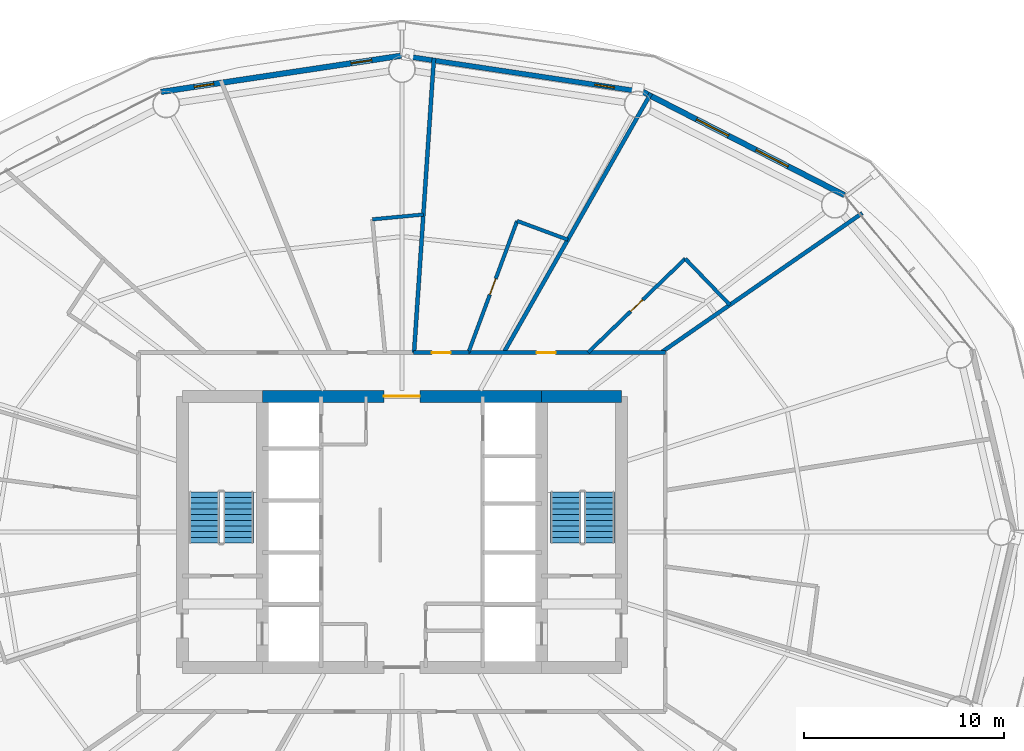
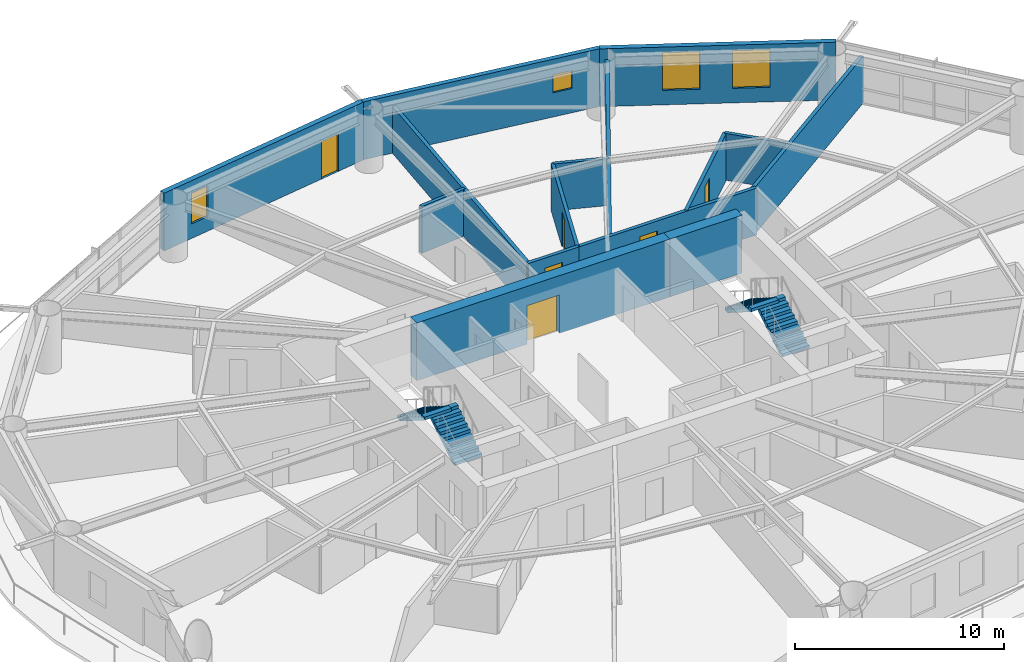
# One storey, part 23 of 26: 15 walls, 6 doors, 4 stair flights, 4 windows, 10 openings, 2 elements without a shape of their own.
"""IFC4 building model written with IfcOpenShell, lengths in metres."""

from ifc_helpers import new_model, si_unit, direction, frame, frame_2d, origin, place, context, subcontext, project, spatial, polyline, rectangle, outline, extrude, material, layer, layer_set, type_object, element, fill, aggregate, save


model = new_model("IFC4")

# Units and contexts
model_context = context("Model", 3, precision=1e-05, world=origin(), true_north=direction((0.0, 1.0)))
body_context = subcontext(model_context, "Body", "Model", "MODEL_VIEW")
ifc_project = project(units=[si_unit("LENGTHUNIT", "METRE"), si_unit("AREAUNIT", "SQUARE_METRE"), si_unit("VOLUMEUNIT", "CUBIC_METRE"), si_unit("PLANEANGLEUNIT", "RADIAN"), si_unit("MASSUNIT", "GRAM", prefix="KILO")], contexts=[model_context])

# Site, building, storey
site_placement = place(None, origin())
site = spatial("IfcSite", under=ifc_project, at=site_placement, CompositionType="ELEMENT")
building_placement = place(site_placement, origin())
building = spatial("IfcBuilding", under=site, at=building_placement, Name="Sarneth Arch Tower", CompositionType="ELEMENT")
storey_placement = place(building_placement, frame((0.0, 0.0, 60.60009765625)))
storey = spatial("IfcBuildingStorey", under=building, at=storey_placement, Name="L14", CompositionType="ELEMENT", Elevation=60.60009765625)

# Wall, opening, door
ifc_material_1 = material(Name="Concrete C60/75", Category="concrete")
ifc_layer_1 = layer(ifc_material_1, 0.60009765625)
ifc_layer_set_1 = layer_set([ifc_layer_1], Name="Concrete C60/75")
wall_type_1 = type_object("IfcWallType", Name="WALL-CORE-600", PredefinedType="SHEAR", material=ifc_layer_set_1)
wall_1_placement = place(storey_placement, frame((41.0, 48.800048828125, 0.0), z_axis=(0.0, 0.0, 1.0), x_axis=(1.0, 0.0, 0.0)))
wall_1 = element("IfcWall", 1, at=wall_1_placement, inside=storey, type_object=wall_type_1, Name="L14 Core shear wall N-M", PredefinedType="SHEAR", context=body_context, shape_type="SweptSolid", body=[
    extrude(rectangle(XDim=14.0, YDim=0.60009765625, at=frame_2d((7.0, 0.0))), origin(), (0.0, 0.0, 1.0), 3.3798828125),
])
opening_1_placement = place(wall_1_placement, frame((6.10009765625, 0.0, 0.0)))
opening_1 = element("IfcOpeningElement", 2, at=opening_1_placement, cuts=wall_1, Name="Opening FD-01", PredefinedType="OPENING", context=body_context, shape_type="SweptSolid", body=[
    extrude(rectangle(XDim=1.800048828125, YDim=2.25, at=frame_2d((0.89990234375, 1.125))), frame((0.0, 0.31005859375, 0.0), z_axis=(0.0, -1.0, 0.0), x_axis=(1.0, 0.0, 0.0)), (0.0, 0.0, 1.0), 0.6201171875),
])
ifc_material_2 = material(Name="Galvanised Steel S275 fire door set", Category="steel")
door_type_1 = type_object("IfcDoorType", Name="DR-FD90-1800", OperationType="DOUBLE_DOOR_SINGLE_SWING", PredefinedType="DOOR", material=ifc_material_2)
door_1_placement = place(opening_1_placement, origin())
door_1 = element("IfcDoor", 3, at=door_1_placement, inside=storey, type_object=door_type_1, Name="L14 Central lift lobby north door", OperationType="DOUBLE_DOOR_SINGLE_SWING", OverallHeight=2.25, OverallWidth=1.800048828125, PredefinedType="DOOR", context=body_context, shape_type="SweptSolid", body=[
    extrude(rectangle(XDim=1.800048828125, YDim=2.25, at=frame_2d((0.89990234375, 1.125))), frame((0.0, 0.02490234375, 0.0), z_axis=(0.0, -1.0, 0.0), x_axis=(1.0, 0.0, 0.0)), (0.0, 0.0, 1.0), 0.050048828125),
])
fill(opening_1, door_1)

# Wall
wall_2_placement = place(storey_placement, frame((55.0, 48.800048828125, 0.0), z_axis=(0.0, 0.0, 1.0), x_axis=(1.0, 0.0, 0.0)))
element("IfcWall", 4, at=wall_2_placement, inside=storey, type_object=wall_type_1, Name="L14 Core shear wall N-E", PredefinedType="SHEAR", context=body_context, shape_type="SweptSolid", body=[
    extrude(rectangle(XDim=4.0, YDim=0.60009765625, at=frame_2d((2.0, 0.0))), origin(), (0.0, 0.0, 1.0), 3.3798828125),
])

# Wall, opening, door
ifc_material_3 = material(Name="Double steel-stud corridor fire wall", Category="steel")
ifc_layer_2 = layer(ifc_material_3, 0.18994140625)
ifc_layer_set_2 = layer_set([ifc_layer_2], Name="Double steel-stud corridor fire wall")
wall_type_2 = type_object("IfcWallType", Name="WALL-CORR-190", PredefinedType="PARTITIONING", material=ifc_layer_set_2)
wall_3_placement = place(storey_placement, frame((51.297607421875, 51.0, 0.0), z_axis=(0.0, 0.0, 1.0), x_axis=(1.0, 0.0, 0.0)))
wall_3 = element("IfcWall", 5, at=wall_3_placement, inside=storey, type_object=wall_type_2, Name="L14 Interior partition W-L14-TP-003", PredefinedType="PARTITIONING", context=body_context, shape_type="SweptSolid", body=[
    extrude(rectangle(XDim=9.90234375, YDim=0.18994140625, at=frame_2d((4.951171875, 0.0))), origin(), (0.0, 0.0, 1.0), 2.739990234375),
])
opening_2_placement = place(wall_3_placement, frame((3.449951171875, 0.0, 0.0)))
opening_2 = element("IfcOpeningElement", 6, at=opening_2_placement, cuts=wall_3, Name="Opening FD-09", PredefinedType="OPENING", context=body_context, shape_type="SweptSolid", body=[
    extrude(rectangle(XDim=0.949951171875, YDim=2.14990234375, at=frame_2d((0.47509765625, 1.074951171875))), frame((0.0, 0.10498046875, 0.0), z_axis=(0.0, -1.0, 0.0), x_axis=(1.0, 0.0, 0.0)), (0.0, 0.0, 1.0), 0.2099609375),
])
ifc_material_4 = material(Name="Hardwood timber hotel entrance fire door", Category="wood")
door_type_2 = type_object("IfcDoorType", Name="DR-FD60-950", OperationType="SINGLE_SWING_RIGHT", PredefinedType="DOOR", material=ifc_material_4)
door_2_placement = place(opening_2_placement, origin())
door_2 = element("IfcDoor", 7, at=door_2_placement, inside=storey, type_object=door_type_2, Name="L14 Interior door DR-L14-KEY-02", OperationType="SINGLE_SWING_LEFT", OverallHeight=2.14990234375, OverallWidth=0.949951171875, PredefinedType="DOOR", context=body_context, shape_type="SweptSolid", body=[
    extrude(rectangle(XDim=0.949951171875, YDim=2.14990234375, at=frame_2d((0.47509765625, 1.074951171875))), frame((0.0, 0.02490234375, 0.0), z_axis=(0.0, -1.0, 0.0), x_axis=(1.0, 0.0, 0.0)), (0.0, 0.0, 1.0), 0.050048828125),
])
fill(opening_2, door_2)

wall_4_placement = place(storey_placement, frame((48.57470703125, 51.0, 0.0), z_axis=(0.0, 0.0, 1.0), x_axis=(1.0, 0.0, 0.0)))
wall_4 = element("IfcWall", 8, at=wall_4_placement, inside=storey, type_object=wall_type_2, Name="L14 Interior partition W-L14-TP-005", PredefinedType="PARTITIONING", context=body_context, shape_type="SweptSolid", body=[
    extrude(rectangle(XDim=2.791259765625, YDim=0.18994140625, at=frame_2d((1.3955078125, 0.0))), origin(), (0.0, 0.0, 1.0), 2.739990234375),
])
opening_3_placement = place(wall_4_placement, frame((0.920654296875, 0.0, 0.0)))
opening_3 = element("IfcOpeningElement", 9, at=opening_3_placement, cuts=wall_4, Name="Opening FD-09", PredefinedType="OPENING", context=body_context, shape_type="SweptSolid", body=[
    extrude(rectangle(XDim=0.949951171875, YDim=2.14990234375, at=frame_2d((0.47509765625, 1.074951171875))), frame((0.0, 0.10498046875, 0.0), z_axis=(0.0, -1.0, 0.0), x_axis=(1.0, 0.0, 0.0)), (0.0, 0.0, 1.0), 0.2099609375),
])
door_3_placement = place(opening_3_placement, origin())
door_3 = element("IfcDoor", 10, at=door_3_placement, inside=storey, type_object=door_type_2, Name="L14 Interior door DR-L14-KEY-03", OperationType="SINGLE_SWING_LEFT", OverallHeight=2.14990234375, OverallWidth=0.949951171875, PredefinedType="DOOR", context=body_context, shape_type="SweptSolid", body=[
    extrude(rectangle(XDim=0.949951171875, YDim=2.14990234375, at=frame_2d((0.47509765625, 1.074951171875))), frame((0.0, 0.02490234375, 0.0), z_axis=(0.0, -1.0, 0.0), x_axis=(1.0, 0.0, 0.0)), (0.0, 0.0, 1.0), 0.050048828125),
])
fill(opening_3, door_3)

# Wall, opening, window
ifc_material_5 = material(Name="Extruded terracotta rainscreen on Concrete C40/50 backing", Category="masonry")
ifc_layer_3 = layer(ifc_material_5, 0.25)
ifc_layer_set_3 = layer_set([ifc_layer_3], Name="Extruded terracotta rainscreen on Concrete C40/50 backing")
wall_type_3 = type_object("IfcWallType", Name="WALL-EXT-SPAND-250", PredefinedType="SOLIDWALL", material=ifc_layer_set_3)
wall_5_placement = place(storey_placement, frame((60.077880859375, 64.062255859375, 0.0), z_axis=(0.0, 0.0, 1.0), x_axis=(-0.988864835849, 0.148816452121, 0.0)))
wall_5 = element("IfcWall", 11, at=wall_5_placement, inside=storey, type_object=wall_type_3, Name="L14 Terracotta perimeter wall 04", PredefinedType="SOLIDWALL", context=body_context, shape_type="SweptSolid", body=[
    extrude(rectangle(XDim=12.2138671875, YDim=0.25, at=frame_2d((6.10693359375, 0.0))), origin(), (0.0, 0.0, 1.0), 3.3798828125),
])
opening_4_placement = place(wall_5_placement, frame((1.439453125, 0.0, 1.419921875)))
opening_4 = element("IfcOpeningElement", 12, at=opening_4_placement, cuts=wall_5, Name="Opening W-14", PredefinedType="OPENING", context=body_context, shape_type="SweptSolid", body=[
    extrude(rectangle(XDim=1.0, YDim=1.050048828125, at=frame_2d((0.5, 0.52490234375))), frame((0.0, 0.135009765625, 0.0), z_axis=(0.0, -1.0, 0.0), x_axis=(1.0, 0.0, 0.0)), (0.0, 0.0, 1.0), 0.27001953125),
])
ifc_material_6 = material(Name="Thermally broken Aluminium 6063-T6 and low-e laminated IGU", Category="aluminium")
window_type_1 = type_object("IfcWindowType", Name="WIN-TWR-1000x1050", PartitioningType="SINGLE_PANEL", PredefinedType="WINDOW", material=ifc_material_6)
window_1_placement = place(opening_4_placement, origin())
window_1 = element("IfcWindow", 13, at=window_1_placement, inside=storey, type_object=window_type_1, Name="L14 Dwelling bedroom window 01", OverallHeight=1.050048828125, OverallWidth=1.0, PartitioningType="SINGLE_PANEL", PredefinedType="WINDOW", context=body_context, shape_type="SweptSolid", body=[
    extrude(rectangle(XDim=1.0, YDim=1.050048828125, at=frame_2d((0.5, 0.52490234375))), frame((0.0, 0.030029296875, 0.0), z_axis=(0.0, -1.0, 0.0), x_axis=(1.0, 0.0, 0.0)), (0.0, 0.0, 1.0), 0.06005859375),
])
fill(opening_4, window_1)

# Wall, openings, windows
ifc_material_7 = material(Name="Extruded terracotta rainscreen on Concrete C40/50 backing", Category="masonry")
ifc_layer_4 = layer(ifc_material_7, 0.280029296875)
ifc_layer_set_4 = layer_set([ifc_layer_4], Name="Extruded terracotta rainscreen on Concrete C40/50 backing")
wall_type_4 = type_object("IfcWallType", Name="WALL-EXT-TERRA-280", PredefinedType="SOLIDWALL", material=ifc_layer_set_4)
wall_6_placement = place(storey_placement, frame((70.174072265625, 58.8857421875, 0.0), z_axis=(0.0, 0.0, 1.0), x_axis=(-0.889853976658, 0.456245438581, 0.0)))
wall_6 = element("IfcWall", 14, at=wall_6_placement, inside=storey, type_object=wall_type_4, Name="L14 Terracotta perimeter wall 03", PredefinedType="SOLIDWALL", context=body_context, shape_type="SweptSolid", body=[
    extrude(rectangle(XDim=11.345947265625, YDim=0.280029296875, at=frame_2d((5.6728515625, 0.0))), origin(), (0.0, 0.0, 1.0), 3.3798828125),
])
opening_5_placement = place(wall_6_placement, frame((3.167236328125, 0.0, 0.85009765625)))
opening_5 = element("IfcOpeningElement", 15, at=opening_5_placement, cuts=wall_6, Name="Opening W-04", PredefinedType="OPENING", context=body_context, shape_type="SweptSolid", body=[
    extrude(rectangle(XDim=1.800048828125, YDim=2.199951171875, at=frame_2d((0.89990234375, 1.10009765625))), frame((0.0, 0.14990234375, 0.0), z_axis=(0.0, -1.0, 0.0), x_axis=(1.0, 0.0, 0.0)), (0.0, 0.0, 1.0), 0.300048828125),
])
opening_6_placement = place(wall_6_placement, frame((6.529052734375, 0.0, 0.85009765625)))
opening_6 = element("IfcOpeningElement", 16, at=opening_6_placement, cuts=wall_6, Name="Opening W-04", PredefinedType="OPENING", context=body_context, shape_type="SweptSolid", body=[
    extrude(rectangle(XDim=1.800048828125, YDim=2.199951171875, at=frame_2d((0.89990234375, 1.10009765625))), frame((0.0, 0.14990234375, 0.0), z_axis=(0.0, -1.0, 0.0), x_axis=(1.0, 0.0, 0.0)), (0.0, 0.0, 1.0), 0.300048828125),
])
ifc_material_8 = material(Name="Thermally broken Aluminium 6063-T6 and low-e laminated IGU", Category="aluminium")
window_type_2 = type_object("IfcWindowType", Name="WIN-TWR-1800x2200", PartitioningType="DOUBLE_PANEL_VERTICAL", PredefinedType="WINDOW", material=ifc_material_8)
window_2_placement = place(opening_5_placement, origin())
window_2 = element("IfcWindow", 17, at=window_2_placement, inside=storey, type_object=window_type_2, Name="L14 Exterior window 03A", OverallHeight=2.199951171875, OverallWidth=1.800048828125, PartitioningType="SINGLE_PANEL", PredefinedType="WINDOW", context=body_context, shape_type="SweptSolid", body=[
    extrude(rectangle(XDim=1.800048828125, YDim=2.199951171875, at=frame_2d((0.89990234375, 1.10009765625))), frame((0.0, 0.030029296875, 0.0), z_axis=(0.0, -1.0, 0.0), x_axis=(1.0, 0.0, 0.0)), (0.0, 0.0, 1.0), 0.06005859375),
])
fill(opening_5, window_2)
window_3_placement = place(opening_6_placement, origin())
window_3 = element("IfcWindow", 18, at=window_3_placement, inside=storey, type_object=window_type_2, Name="L14 Exterior window 03B", OverallHeight=2.199951171875, OverallWidth=1.800048828125, PartitioningType="SINGLE_PANEL", PredefinedType="WINDOW", context=body_context, shape_type="SweptSolid", body=[
    extrude(rectangle(XDim=1.800048828125, YDim=2.199951171875, at=frame_2d((0.89990234375, 1.10009765625))), frame((0.0, 0.030029296875, 0.0), z_axis=(0.0, -1.0, 0.0), x_axis=(1.0, 0.0, 0.0)), (0.0, 0.0, 1.0), 0.06005859375),
])
fill(opening_6, window_3)

# Wall, openings, door, window
wall_7_placement = place(storey_placement, frame((48.0, 65.8798828125, 0.0), z_axis=(0.0, 0.0, 1.0), x_axis=(-0.988864835849, -0.148816452121, 0.0)))
wall_7 = element("IfcWall", 19, at=wall_7_placement, inside=storey, type_object=wall_type_4, Name="L14 Terracotta perimeter wall 05", PredefinedType="SOLIDWALL", context=body_context, shape_type="SweptSolid", body=[
    extrude(rectangle(XDim=12.2138671875, YDim=0.280029296875, at=frame_2d((6.10693359375, 0.0))), origin(), (0.0, 0.0, 1.0), 3.3798828125),
])
opening_7_placement = place(wall_7_placement, frame((1.53125, 0.0, 0.0)))
opening_7 = element("IfcOpeningElement", 20, at=opening_7_placement, cuts=wall_7, Name="Opening BD-4", PredefinedType="OPENING", context=body_context, shape_type="SweptSolid", body=[
    extrude(rectangle(XDim=1.050048828125, YDim=2.199951171875, at=frame_2d((0.52490234375, 1.10009765625))), frame((0.0, 0.14990234375, 0.0), z_axis=(0.0, -1.0, 0.0), x_axis=(1.0, 0.0, 0.0)), (0.0, 0.0, 1.0), 0.300048828125),
])
opening_8_placement = place(wall_7_placement, frame((9.531494140625, 0.0, 0.85009765625)))
opening_8 = element("IfcOpeningElement", 21, at=opening_8_placement, cuts=wall_7, Name="Opening W-11", PredefinedType="OPENING", context=body_context, shape_type="SweptSolid", body=[
    extrude(rectangle(XDim=1.0, YDim=1.800048828125, at=frame_2d((0.5, 0.89990234375))), frame((0.0, 0.14990234375, 0.0), z_axis=(0.0, -1.0, 0.0), x_axis=(1.0, 0.0, 0.0)), (0.0, 0.0, 1.0), 0.300048828125),
])
ifc_material_9 = material(Name="Thermally broken Aluminium 6063-T6 and laminated safety glass", Category="aluminium")
door_type_3 = type_object("IfcDoorType", Name="DR-BALC-GLZ-1050", OperationType="SINGLE_SWING_RIGHT", PredefinedType="DOOR", material=ifc_material_9)
door_4_placement = place(opening_7_placement, origin())
door_4 = element("IfcDoor", 22, at=door_4_placement, inside=storey, type_object=door_type_3, Name="L14 Balcony glazed door 05", OperationType="SINGLE_SWING_RIGHT", OverallHeight=2.199951171875, OverallWidth=1.050048828125, PredefinedType="DOOR", context=body_context, shape_type="SweptSolid", body=[
    extrude(rectangle(XDim=1.050048828125, YDim=2.199951171875, at=frame_2d((0.52490234375, 1.10009765625))), frame((0.0, 0.02490234375, 0.0), z_axis=(0.0, -1.0, 0.0), x_axis=(1.0, 0.0, 0.0)), (0.0, 0.0, 1.0), 0.050048828125),
])
fill(opening_7, door_4)
ifc_material_10 = material(Name="Thermally broken Aluminium 6063-T6 and low-e laminated IGU", Category="aluminium")
window_type_3 = type_object("IfcWindowType", Name="WIN-TWR-1000x1800", PartitioningType="SINGLE_PANEL", PredefinedType="WINDOW", material=ifc_material_10)
window_4_placement = place(opening_8_placement, origin())
window_4 = element("IfcWindow", 23, at=window_4_placement, inside=storey, type_object=window_type_3, Name="L14 Exterior window 05A", OverallHeight=1.800048828125, OverallWidth=1.0, PartitioningType="SINGLE_PANEL", PredefinedType="WINDOW", context=body_context, shape_type="SweptSolid", body=[
    extrude(rectangle(XDim=1.0, YDim=1.800048828125, at=frame_2d((0.5, 0.89990234375))), frame((0.0, 0.030029296875, 0.0), z_axis=(0.0, -1.0, 0.0), x_axis=(1.0, 0.0, 0.0)), (0.0, 0.0, 1.0), 0.06005859375),
])
fill(opening_8, window_4)

# Wall, opening, door
ifc_material_11 = material(Name="Moisture-resistant plumbing chase wall", Category="gypsum")
ifc_layer_5 = layer(ifc_material_11, 0.179931640625)
ifc_layer_set_5 = layer_set([ifc_layer_5], Name="Moisture-resistant plumbing chase wall")
wall_type_5 = type_object("IfcWallType", Name="WALL-PLUMB-180", PredefinedType="PLUMBINGWALL", material=ifc_layer_set_5)
wall_8_placement = place(storey_placement, frame((53.77294921875, 57.59423828125, 0.0), z_axis=(0.0, 0.0, 1.0), x_axis=(-0.347170736851, -0.93780194043, 0.0)))
wall_8 = element("IfcWall", 24, at=wall_8_placement, inside=storey, type_object=wall_type_5, Name="L14 Interior partition W-L14-TP-037", PredefinedType="PLUMBINGWALL", context=body_context, shape_type="SweptSolid", body=[
    extrude(rectangle(XDim=7.031494140625, YDim=0.179931640625, at=frame_2d((3.515625, 0.0))), origin(), (0.0, 0.0, 1.0), 2.739990234375),
])
opening_9_placement = place(wall_8_placement, frame((3.0908203125, 0.0, 0.0)))
opening_9 = element("IfcOpeningElement", 25, at=opening_9_placement, cuts=wall_8, Name="Opening ID-02", PredefinedType="OPENING", context=body_context, shape_type="SweptSolid", body=[
    extrude(rectangle(XDim=0.85009765625, YDim=2.10009765625, at=frame_2d((0.425048828125, 1.050048828125))), frame((0.0, 0.099853515625, 0.0), z_axis=(0.0, -1.0, 0.0), x_axis=(1.0, 0.0, 0.0)), (0.0, 0.0, 1.0), 0.199951171875),
])
ifc_material_12 = material(Name="Moisture-resistant bathroom timber door", Category="wood")
door_type_4 = type_object("IfcDoorType", Name="DR-INT-850", OperationType="SINGLE_SWING_RIGHT", PredefinedType="DOOR", material=ifc_material_12)
door_5_placement = place(opening_9_placement, origin())
door_5 = element("IfcDoor", 26, at=door_5_placement, inside=storey, type_object=door_type_4, Name="L14 Interior door DR-L14-ENS-03", OperationType="SINGLE_SWING_RIGHT", OverallHeight=2.10009765625, OverallWidth=0.85009765625, PredefinedType="DOOR", context=body_context, shape_type="SweptSolid", body=[
    extrude(rectangle(XDim=0.85009765625, YDim=2.10009765625, at=frame_2d((0.425048828125, 1.050048828125))), frame((0.0, 0.02490234375, 0.0), z_axis=(0.0, -1.0, 0.0), x_axis=(1.0, 0.0, 0.0)), (0.0, 0.0, 1.0), 0.050048828125),
])
fill(opening_9, door_5)

wall_9_placement = place(storey_placement, frame((62.201904296875, 55.701171875, 0.0), z_axis=(0.0, 0.0, 1.0), x_axis=(-0.719667322044, -0.69431905172, 0.0)))
wall_9 = element("IfcWall", 27, at=wall_9_placement, inside=storey, type_object=wall_type_5, Name="L14 Interior partition W-L14-TP-033", PredefinedType="PLUMBINGWALL", context=body_context, shape_type="SweptSolid", body=[
    extrude(rectangle(XDim=6.77099609375, YDim=0.179931640625, at=frame_2d((3.385498046875, 0.0))), origin(), (0.0, 0.0, 1.0), 2.739990234375),
])
opening_10_placement = place(wall_9_placement, frame((2.96044921875, 0.0, 0.0)))
opening_10 = element("IfcOpeningElement", 28, at=opening_10_placement, cuts=wall_9, Name="Opening ID-02", PredefinedType="OPENING", context=body_context, shape_type="SweptSolid", body=[
    extrude(rectangle(XDim=0.85009765625, YDim=2.10009765625, at=frame_2d((0.425048828125, 1.050048828125))), frame((0.0, 0.099853515625, 0.0), z_axis=(0.0, -1.0, 0.0), x_axis=(1.0, 0.0, 0.0)), (0.0, 0.0, 1.0), 0.199951171875),
])
door_6_placement = place(opening_10_placement, origin())
door_6 = element("IfcDoor", 29, at=door_6_placement, inside=storey, type_object=door_type_4, Name="L14 Interior door DR-L14-ENS-02", OperationType="SINGLE_SWING_RIGHT", OverallHeight=2.10009765625, OverallWidth=0.85009765625, PredefinedType="DOOR", context=body_context, shape_type="SweptSolid", body=[
    extrude(rectangle(XDim=0.85009765625, YDim=2.10009765625, at=frame_2d((0.425048828125, 1.050048828125))), frame((0.0, 0.02490234375, 0.0), z_axis=(0.0, -1.0, 0.0), x_axis=(1.0, 0.0, 0.0)), (0.0, 0.0, 1.0), 0.050048828125),
])
fill(opening_10, door_6)

# Walls
wall_10_placement = place(storey_placement, frame((64.43505859375, 53.38623046875, 0.0), z_axis=(0.0, 0.0, 1.0), x_axis=(-0.694278833189, 0.719706121821, 0.0)))
element("IfcWall", 30, at=wall_10_placement, inside=storey, type_object=wall_type_5, Name="L14 Interior partition W-L14-TP-032", PredefinedType="PLUMBINGWALL", context=body_context, shape_type="SweptSolid", body=[
    extrude(rectangle(XDim=3.216552734375, YDim=0.179931640625, at=frame_2d((1.6083984375, 0.0))), origin(), (0.0, 0.0, 1.0), 2.739990234375),
])
wall_11_placement = place(storey_placement, frame((56.314697265625, 56.6533203125, 0.0), z_axis=(0.0, 0.0, 1.0), x_axis=(-0.937805250992, 0.347161793999, 0.0)))
element("IfcWall", 31, at=wall_11_placement, inside=storey, type_object=wall_type_5, Name="L14 Interior partition W-L14-TP-036", PredefinedType="PLUMBINGWALL", context=body_context, shape_type="SweptSolid", body=[
    extrude(rectangle(XDim=2.710205078125, YDim=0.179931640625, at=frame_2d((1.35498046875, 0.0))), origin(), (0.0, 0.0, 1.0), 2.739990234375),
])
wall_12_placement = place(storey_placement, frame((49.072998046875, 57.915283203125, 0.0), z_axis=(0.0, 0.0, 1.0), x_axis=(-0.995563205557, -0.09409518447, 0.0)))
element("IfcWall", 32, at=wall_12_placement, inside=storey, type_object=wall_type_5, Name="L14 Interior partition W-L14-TP-040", PredefinedType="PLUMBINGWALL", context=body_context, shape_type="SweptSolid", body=[
    extrude(rectangle(XDim=2.566162109375, YDim=0.179931640625, at=frame_2d((1.283203125, 0.0))), origin(), (0.0, 0.0, 1.0), 2.739990234375),
])
ifc_material_13 = material(Name="Double steel-stud acoustic drywall", Category="steel")
ifc_layer_6 = layer(ifc_material_13, 0.199951171875)
ifc_layer_set_6 = layer_set([ifc_layer_6], Name="Double steel-stud acoustic drywall")
wall_type_6 = type_object("IfcWallType", Name="WALL-UNIT-200", PredefinedType="PARTITIONING", material=ifc_layer_set_6)
wall_13_placement = place(storey_placement, frame((53.106689453125, 51.0, 0.0), z_axis=(0.0, 0.0, 1.0), x_axis=(0.493512300658, 0.869738816599, 0.0)))
element("IfcWall", 33, at=wall_13_placement, inside=storey, type_object=wall_type_6, Name="L14 Interior partition W-L14-TP-034", PredefinedType="PARTITIONING", context=body_context, shape_type="SweptSolid", body=[
    extrude(rectangle(XDim=14.9375, YDim=0.199951171875, at=frame_2d((7.46875, 0.0))), origin(), (0.0, 0.0, 1.0), 2.739990234375),
])
wall_14_placement = place(storey_placement, frame((60.99072265625, 51.0, 0.0), z_axis=(0.0, 0.0, 1.0), x_axis=(0.821999402566, 0.569488351226, 0.0)))
element("IfcWall", 34, at=wall_14_placement, inside=storey, type_object=wall_type_6, Name="L14 Interior partition W-L14-TP-029", PredefinedType="PARTITIONING", context=body_context, shape_type="SweptSolid", body=[
    extrude(rectangle(XDim=12.266357421875, YDim=0.199951171875, at=frame_2d((6.13330078125, 0.0))), origin(), (0.0, 0.0, 1.0), 2.739990234375),
])
wall_15_placement = place(storey_placement, frame((48.606689453125, 51.0, 0.0), z_axis=(0.0, 0.0, 1.0), x_axis=(0.067284649742, 0.997733820169, 0.0)))
element("IfcWall", 35, at=wall_15_placement, inside=storey, type_object=wall_type_6, Name="L14 Interior partition W-L14-TP-038", PredefinedType="PARTITIONING", context=body_context, shape_type="SweptSolid", body=[
    extrude(rectangle(XDim=14.793212890625, YDim=0.199951171875, at=frame_2d((7.396484375, 0.0))), origin(), (0.0, 0.0, 1.0), 2.739990234375),
])

# Stair, stair flights
ifc_material_14 = material(Name="Concrete C50/60", Category="concrete")
stair_type = type_object("IfcStairType", Name="STAIR-CORE-RC", PredefinedType="HALF_TURN_STAIR", material=ifc_material_14)
stair_1_placement = place(storey_placement, origin())
stair_1 = element("IfcStair", 36, at=stair_1_placement, inside=storey, type_object=stair_type, Name="L14 Core Exit Stair 1", PredefinedType="HALF_TURN_STAIR")
ifc_material_15 = material(Name="Concrete C50/60", Category="concrete")
stair_flight_type = type_object("IfcStairFlightType", Name="FLIGHT-RC-1500", PredefinedType="STRAIGHT", material=ifc_material_15)
stair_flight_1_placement = place(storey_placement, frame((39.800048828125, 41.449951171875, 0.0), z_axis=(0.0, 0.0, 1.0), x_axis=(0.0, 1.0, 0.0)))
stair_flight_1 = element("IfcStairFlight", 37, at=stair_flight_1_placement, type_object=stair_flight_type, Name="ST-1 flight 1", NumberOfRisers=10, NumberOfTreads=9, PredefinedType="STRAIGHT", RiserHeight=0.18, TreadLength=0.285, context=body_context, shape_type="SweptSolid", body=[
    extrude(outline(polyline([(0.0, 0.0), (0.0, 0.179931640625), (0.284912109375, 0.179931640625), (0.284912109375, 0.360107421875), (0.570068359375, 0.360107421875), (0.570068359375, 0.5400390625), (0.85498046875, 0.5400390625), (0.85498046875, 0.719970703125), (1.139892578125, 0.719970703125), (1.139892578125, 0.89990234375), (1.425048828125, 0.89990234375), (1.425048828125, 1.080078125), (1.7099609375, 1.080078125), (1.7099609375, 1.260009765625), (1.9951171875, 1.260009765625), (1.9951171875, 1.43994140625), (2.280029296875, 1.43994140625), (2.280029296875, 1.6201171875), (2.56494140625, 1.6201171875), (2.56494140625, 1.800048828125), (2.56494140625, 1.442626953125), (0.28076171875, 0.0), (0.0, 0.0)])), frame((0.0, 0.75, 0.0), z_axis=(0.0, -1.0, 0.0), x_axis=(1.0, 0.0, 0.0)), (0.0, 0.0, 1.0), 1.5),
])
stair_flight_2_placement = place(storey_placement, frame((38.10009765625, 44.014892578125, 1.7998046875), z_axis=(0.0, 0.0, 1.0), x_axis=(0.0, -1.0, 0.0)))
stair_flight_2 = element("IfcStairFlight", 38, at=stair_flight_2_placement, type_object=stair_flight_type, Name="ST-1 flight 2", NumberOfRisers=10, NumberOfTreads=9, PredefinedType="STRAIGHT", RiserHeight=0.18, TreadLength=0.285, context=body_context, shape_type="SweptSolid", body=[
    extrude(outline(polyline([(0.0, 0.0), (0.0, 0.179931640625), (0.284912109375, 0.179931640625), (0.284912109375, 0.360107421875), (0.570068359375, 0.360107421875), (0.570068359375, 0.5400390625), (0.85498046875, 0.5400390625), (0.85498046875, 0.719970703125), (1.139892578125, 0.719970703125), (1.139892578125, 0.89990234375), (1.425048828125, 0.89990234375), (1.425048828125, 1.080078125), (1.7099609375, 1.080078125), (1.7099609375, 1.260009765625), (1.9951171875, 1.260009765625), (1.9951171875, 1.43994140625), (2.280029296875, 1.43994140625), (2.280029296875, 1.6201171875), (2.56494140625, 1.6201171875), (2.56494140625, 1.800048828125), (2.56494140625, 1.442626953125), (0.28076171875, 0.0), (0.0, 0.0)])), frame((0.0, 0.75, 0.0), z_axis=(0.0, -1.0, 0.0), x_axis=(1.0, 0.0, 0.0)), (0.0, 0.0, 1.0), 1.5),
])
aggregate(stair_1, [stair_flight_1, stair_flight_2])

stair_2_placement = place(storey_placement, origin())
stair_2 = element("IfcStair", 39, at=stair_2_placement, inside=storey, type_object=stair_type, Name="L14 Core Exit Stair 2", PredefinedType="HALF_TURN_STAIR")
stair_flight_3_placement = place(storey_placement, frame((57.89990234375, 41.449951171875, 0.0), z_axis=(0.0, 0.0, 1.0), x_axis=(0.0, 1.0, 0.0)))
stair_flight_3 = element("IfcStairFlight", 40, at=stair_flight_3_placement, type_object=stair_flight_type, Name="ST-2 flight 1", NumberOfRisers=10, NumberOfTreads=9, PredefinedType="STRAIGHT", RiserHeight=0.18, TreadLength=0.285, context=body_context, shape_type="SweptSolid", body=[
    extrude(outline(polyline([(0.0, 0.0), (0.0, 0.179931640625), (0.284912109375, 0.179931640625), (0.284912109375, 0.360107421875), (0.570068359375, 0.360107421875), (0.570068359375, 0.5400390625), (0.85498046875, 0.5400390625), (0.85498046875, 0.719970703125), (1.139892578125, 0.719970703125), (1.139892578125, 0.89990234375), (1.425048828125, 0.89990234375), (1.425048828125, 1.080078125), (1.7099609375, 1.080078125), (1.7099609375, 1.260009765625), (1.9951171875, 1.260009765625), (1.9951171875, 1.43994140625), (2.280029296875, 1.43994140625), (2.280029296875, 1.6201171875), (2.56494140625, 1.6201171875), (2.56494140625, 1.800048828125), (2.56494140625, 1.442626953125), (0.28076171875, 0.0), (0.0, 0.0)])), frame((0.0, 0.75, 0.0), z_axis=(0.0, -1.0, 0.0), x_axis=(1.0, 0.0, 0.0)), (0.0, 0.0, 1.0), 1.5),
])
stair_flight_4_placement = place(storey_placement, frame((56.199951171875, 44.014892578125, 1.7998046875), z_axis=(0.0, 0.0, 1.0), x_axis=(0.0, -1.0, 0.0)))
stair_flight_4 = element("IfcStairFlight", 41, at=stair_flight_4_placement, type_object=stair_flight_type, Name="ST-2 flight 2", NumberOfRisers=10, NumberOfTreads=9, PredefinedType="STRAIGHT", RiserHeight=0.18, TreadLength=0.285, context=body_context, shape_type="SweptSolid", body=[
    extrude(outline(polyline([(0.0, 0.0), (0.0, 0.179931640625), (0.284912109375, 0.179931640625), (0.284912109375, 0.360107421875), (0.570068359375, 0.360107421875), (0.570068359375, 0.5400390625), (0.85498046875, 0.5400390625), (0.85498046875, 0.719970703125), (1.139892578125, 0.719970703125), (1.139892578125, 0.89990234375), (1.425048828125, 0.89990234375), (1.425048828125, 1.080078125), (1.7099609375, 1.080078125), (1.7099609375, 1.260009765625), (1.9951171875, 1.260009765625), (1.9951171875, 1.43994140625), (2.280029296875, 1.43994140625), (2.280029296875, 1.6201171875), (2.56494140625, 1.6201171875), (2.56494140625, 1.800048828125), (2.56494140625, 1.442626953125), (0.28076171875, 0.0), (0.0, 0.0)])), frame((0.0, 0.75, 0.0), z_axis=(0.0, -1.0, 0.0), x_axis=(1.0, 0.0, 0.0)), (0.0, 0.0, 1.0), 1.5),
])
aggregate(stair_2, [stair_flight_3, stair_flight_4])

save(model, "model.ifc")
